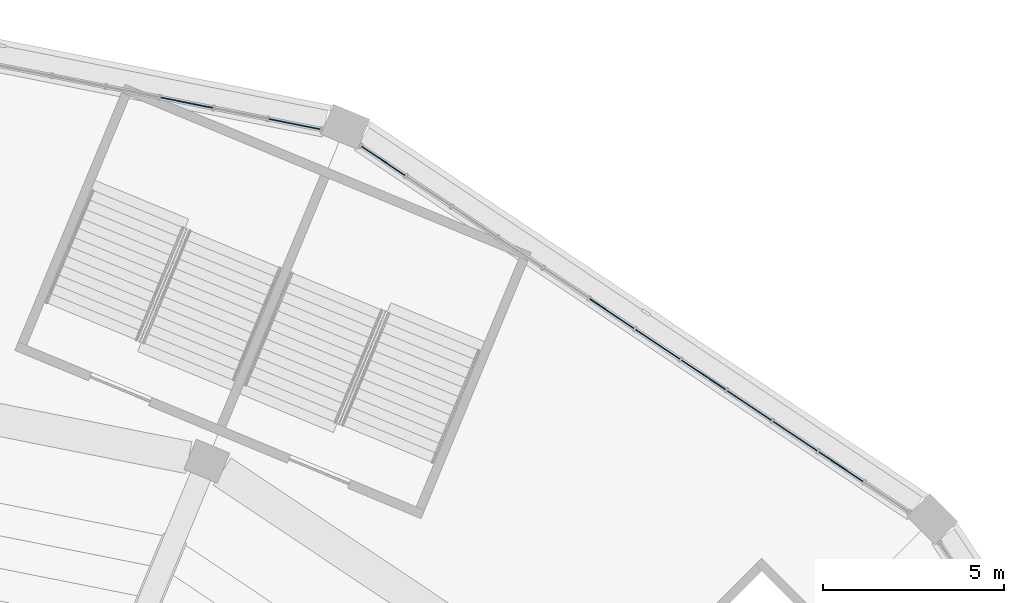
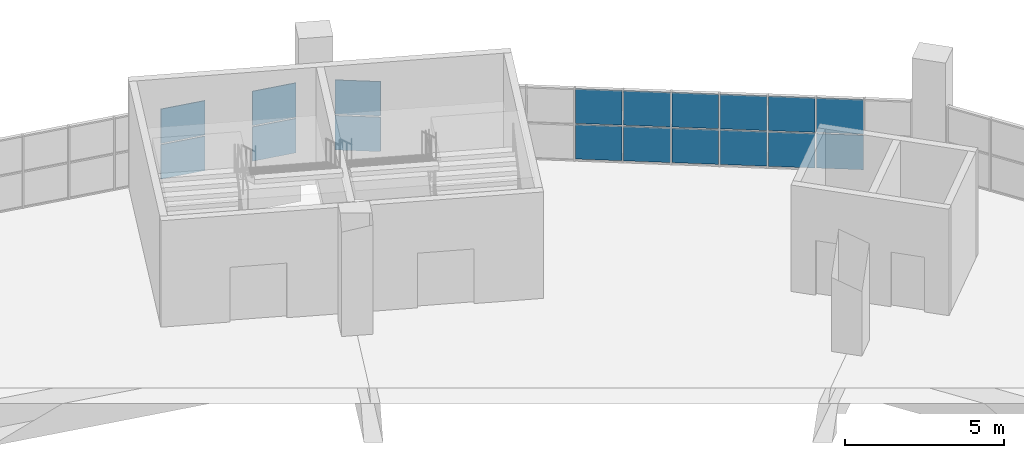
# One storey, part 84 of 249: 18 plates, 2 elements without a shape of their own.
"""IFC4 building model written with IfcOpenShell, lengths in metres."""

from ifc_helpers import new_model, si_unit, direction, frame, origin, origin_2d, place, context, subcontext, project, spatial, rectangle, extrude, material, layer, layer_set, type_object, element, aggregate, save


model = new_model("IFC4")

# Units and contexts
model_context = context("Model", 3, precision=1e-05, world=origin(), true_north=direction((0.0, 1.0)))
body_context = subcontext(model_context, "Body", "Model", "MODEL_VIEW")
ifc_project = project(units=[si_unit("LENGTHUNIT", "METRE"), si_unit("AREAUNIT", "SQUARE_METRE"), si_unit("VOLUMEUNIT", "CUBIC_METRE"), si_unit("PLANEANGLEUNIT", "RADIAN"), si_unit("MASSUNIT", "GRAM", prefix="KILO")], contexts=[model_context])

# Site, building, storey
site_placement = place(None, origin())
site = spatial("IfcSite", under=ifc_project, at=site_placement, CompositionType="ELEMENT")
building_placement = place(site_placement, origin())
building = spatial("IfcBuilding", under=site, at=building_placement, Name="Ogive Plaza Stadium", CompositionType="ELEMENT")
storey_placement = place(building_placement, frame((0.0, 0.0, 13.5)))
storey = spatial("IfcBuildingStorey", under=building, at=storey_placement, Name="L03", CompositionType="ELEMENT", Elevation=13.5)

# Curtain wall, plates
ifc_material_1 = material(Name="Bronze-anodised aluminium with laminated glass", Category="aluminium")
curtain_wall_type = type_object("IfcCurtainWallType", Name="Lancet curtain wall", PredefinedType="NOTDEFINED", material=ifc_material_1)
curtain_wall_1_placement = place(storey_placement, origin())
curtain_wall_1 = element("IfcCurtainWall", 1, at=curtain_wall_1_placement, inside=storey, type_object=curtain_wall_type, Name="CURTAIN WALL B37 L03", PredefinedType="NOTDEFINED")
ifc_material_2 = material(Name="Laminated glass", Category="glass")
ifc_layer = layer(ifc_material_2, 0.028076171875)
ifc_layer_set = layer_set([ifc_layer], Name="Laminated glass panel 28")
plate_type = type_object("IfcPlateType", Name="Laminated glass panel 28", PredefinedType="CURTAIN_PANEL", material=ifc_layer_set)
plate_1_placement = place(storey_placement, frame((48.75390625, 99.361328125, 0.0498046875), z_axis=(0.0, 0.0, 1.0), x_axis=(0.9807852804, -0.195090322033, 0.0)))
plate_1 = element("IfcPlate", 2, at=plate_1_placement, type_object=plate_type, Name="CW-B37-L03 panel 10.1", PredefinedType="CURTAIN_PANEL", context=body_context, shape_type="SweptSolid", body=[
    extrude(rectangle(XDim=1.472412109375, YDim=0.028076171875, at=origin_2d()), origin(), (0.0, 0.0, 1.0), 1.320068359375),
])
plate_2_placement = place(storey_placement, frame((48.75390625, 99.361328125, 1.419921875), z_axis=(0.0, 0.0, 1.0), x_axis=(0.9807852804, -0.195090322033, 0.0)))
plate_2 = element("IfcPlate", 3, at=plate_2_placement, type_object=plate_type, Name="CW-B37-L03 panel 10.2", PredefinedType="CURTAIN_PANEL", context=body_context, shape_type="SweptSolid", body=[
    extrude(rectangle(XDim=1.472412109375, YDim=0.028076171875, at=origin_2d()), origin(), (0.0, 0.0, 1.0), 1.320068359375),
])
plate_3_placement = place(storey_placement, frame((51.727783203125, 98.769775390625, 0.0498046875), z_axis=(0.0, 0.0, 1.0), x_axis=(0.9807852804, -0.195090322033, 0.0)))
plate_3 = element("IfcPlate", 4, at=plate_3_placement, type_object=plate_type, Name="CW-B37-L03 panel 12.1", PredefinedType="CURTAIN_PANEL", context=body_context, shape_type="SweptSolid", body=[
    extrude(rectangle(XDim=1.447265625, YDim=0.028076171875, at=origin_2d()), origin(), (0.0, 0.0, 1.0), 1.320068359375),
])
plate_4_placement = place(storey_placement, frame((51.727783203125, 98.769775390625, 1.419921875), z_axis=(0.0, 0.0, 1.0), x_axis=(0.9807852804, -0.195090322033, 0.0)))
plate_4 = element("IfcPlate", 5, at=plate_4_placement, type_object=plate_type, Name="CW-B37-L03 panel 12.2", PredefinedType="CURTAIN_PANEL", context=body_context, shape_type="SweptSolid", body=[
    extrude(rectangle(XDim=1.447265625, YDim=0.028076171875, at=origin_2d()), origin(), (0.0, 0.0, 1.0), 1.320068359375),
])
aggregate(curtain_wall_1, [plate_1, plate_2, plate_3, plate_4])

curtain_wall_2_placement = place(storey_placement, origin())
curtain_wall_2 = element("IfcCurtainWall", 6, at=curtain_wall_2_placement, inside=storey, type_object=curtain_wall_type, Name="CURTAIN WALL B38 L03", PredefinedType="NOTDEFINED")
plate_5_placement = place(storey_placement, frame((54.18212890625, 97.753173828125, 0.0498046875), z_axis=(0.0, 0.0, 1.0), x_axis=(0.831469612303, -0.55557023302, 0.0)))
plate_5 = element("IfcPlate", 7, at=plate_5_placement, type_object=plate_type, Name="CW-B38-L03 panel 1.1", PredefinedType="CURTAIN_PANEL", context=body_context, shape_type="SweptSolid", body=[
    extrude(rectangle(XDim=1.447265625, YDim=0.028076171875, at=origin_2d()), origin(), (0.0, 0.0, 1.0), 1.320068359375),
])
plate_6_placement = place(storey_placement, frame((54.18212890625, 97.753173828125, 1.419921875), z_axis=(0.0, 0.0, 1.0), x_axis=(0.831469612303, -0.55557023302, 0.0)))
plate_6 = element("IfcPlate", 8, at=plate_6_placement, type_object=plate_type, Name="CW-B38-L03 panel 1.2", PredefinedType="CURTAIN_PANEL", context=body_context, shape_type="SweptSolid", body=[
    extrude(rectangle(XDim=1.447265625, YDim=0.028076171875, at=origin_2d()), origin(), (0.0, 0.0, 1.0), 1.320068359375),
])
plate_7_placement = place(storey_placement, frame((60.500732421875, 93.53125, 0.0498046875), z_axis=(0.0, 0.0, 1.0), x_axis=(0.831469612303, -0.55557023302, 0.0)))
plate_7 = element("IfcPlate", 9, at=plate_7_placement, type_object=plate_type, Name="CW-B38-L03 panel 6.1", PredefinedType="CURTAIN_PANEL", context=body_context, shape_type="SweptSolid", body=[
    extrude(rectangle(XDim=1.472412109375, YDim=0.028076171875, at=origin_2d()), origin(), (0.0, 0.0, 1.0), 1.320068359375),
])
plate_8_placement = place(storey_placement, frame((60.500732421875, 93.53125, 1.419921875), z_axis=(0.0, 0.0, 1.0), x_axis=(0.831469612303, -0.55557023302, 0.0)))
plate_8 = element("IfcPlate", 10, at=plate_8_placement, type_object=plate_type, Name="CW-B38-L03 panel 6.2", PredefinedType="CURTAIN_PANEL", context=body_context, shape_type="SweptSolid", body=[
    extrude(rectangle(XDim=1.472412109375, YDim=0.028076171875, at=origin_2d()), origin(), (0.0, 0.0, 1.0), 1.320068359375),
])
plate_9_placement = place(storey_placement, frame((61.7666015625, 92.685546875, 0.0498046875), z_axis=(0.0, 0.0, 1.0), x_axis=(0.831469612303, -0.55557023302, 0.0)))
plate_9 = element("IfcPlate", 11, at=plate_9_placement, type_object=plate_type, Name="CW-B38-L03 panel 7.1", PredefinedType="CURTAIN_PANEL", context=body_context, shape_type="SweptSolid", body=[
    extrude(rectangle(XDim=1.472412109375, YDim=0.028076171875, at=origin_2d()), origin(), (0.0, 0.0, 1.0), 1.320068359375),
])
plate_10_placement = place(storey_placement, frame((61.7666015625, 92.685546875, 1.419921875), z_axis=(0.0, 0.0, 1.0), x_axis=(0.831469612303, -0.55557023302, 0.0)))
plate_10 = element("IfcPlate", 12, at=plate_10_placement, type_object=plate_type, Name="CW-B38-L03 panel 7.2", PredefinedType="CURTAIN_PANEL", context=body_context, shape_type="SweptSolid", body=[
    extrude(rectangle(XDim=1.472412109375, YDim=0.028076171875, at=origin_2d()), origin(), (0.0, 0.0, 1.0), 1.320068359375),
])
plate_11_placement = place(storey_placement, frame((63.0322265625, 91.839599609375, 0.0498046875), z_axis=(0.0, 0.0, 1.0), x_axis=(0.831469612303, -0.55557023302, 0.0)))
plate_11 = element("IfcPlate", 13, at=plate_11_placement, type_object=plate_type, Name="CW-B38-L03 panel 8.1", PredefinedType="CURTAIN_PANEL", context=body_context, shape_type="SweptSolid", body=[
    extrude(rectangle(XDim=1.472412109375, YDim=0.028076171875, at=origin_2d()), origin(), (0.0, 0.0, 1.0), 1.320068359375),
])
plate_12_placement = place(storey_placement, frame((63.0322265625, 91.839599609375, 1.419921875), z_axis=(0.0, 0.0, 1.0), x_axis=(0.831469612303, -0.55557023302, 0.0)))
plate_12 = element("IfcPlate", 14, at=plate_12_placement, type_object=plate_type, Name="CW-B38-L03 panel 8.2", PredefinedType="CURTAIN_PANEL", context=body_context, shape_type="SweptSolid", body=[
    extrude(rectangle(XDim=1.472412109375, YDim=0.028076171875, at=origin_2d()), origin(), (0.0, 0.0, 1.0), 1.320068359375),
])
plate_13_placement = place(storey_placement, frame((64.298095703125, 90.993896484375, 0.0498046875), z_axis=(0.0, 0.0, 1.0), x_axis=(0.831469612303, -0.55557023302, 0.0)))
plate_13 = element("IfcPlate", 15, at=plate_13_placement, type_object=plate_type, Name="CW-B38-L03 panel 9.1", PredefinedType="CURTAIN_PANEL", context=body_context, shape_type="SweptSolid", body=[
    extrude(rectangle(XDim=1.472412109375, YDim=0.028076171875, at=origin_2d()), origin(), (0.0, 0.0, 1.0), 1.320068359375),
])
plate_14_placement = place(storey_placement, frame((64.298095703125, 90.993896484375, 1.419921875), z_axis=(0.0, 0.0, 1.0), x_axis=(0.831469612303, -0.55557023302, 0.0)))
plate_14 = element("IfcPlate", 16, at=plate_14_placement, type_object=plate_type, Name="CW-B38-L03 panel 9.2", PredefinedType="CURTAIN_PANEL", context=body_context, shape_type="SweptSolid", body=[
    extrude(rectangle(XDim=1.472412109375, YDim=0.028076171875, at=origin_2d()), origin(), (0.0, 0.0, 1.0), 1.320068359375),
])
plate_15_placement = place(storey_placement, frame((65.56396484375, 90.148193359375, 0.0498046875), z_axis=(0.0, 0.0, 1.0), x_axis=(0.831469612303, -0.55557023302, 0.0)))
plate_15 = element("IfcPlate", 17, at=plate_15_placement, type_object=plate_type, Name="CW-B38-L03 panel 10.1", PredefinedType="CURTAIN_PANEL", context=body_context, shape_type="SweptSolid", body=[
    extrude(rectangle(XDim=1.472412109375, YDim=0.028076171875, at=origin_2d()), origin(), (0.0, 0.0, 1.0), 1.320068359375),
])
plate_16_placement = place(storey_placement, frame((65.56396484375, 90.148193359375, 1.419921875), z_axis=(0.0, 0.0, 1.0), x_axis=(0.831469612303, -0.55557023302, 0.0)))
plate_16 = element("IfcPlate", 18, at=plate_16_placement, type_object=plate_type, Name="CW-B38-L03 panel 10.2", PredefinedType="CURTAIN_PANEL", context=body_context, shape_type="SweptSolid", body=[
    extrude(rectangle(XDim=1.472412109375, YDim=0.028076171875, at=origin_2d()), origin(), (0.0, 0.0, 1.0), 1.320068359375),
])
plate_17_placement = place(storey_placement, frame((66.82958984375, 89.302490234375, 0.0498046875), z_axis=(0.0, 0.0, 1.0), x_axis=(0.831469612303, -0.55557023302, 0.0)))
plate_17 = element("IfcPlate", 19, at=plate_17_placement, type_object=plate_type, Name="CW-B38-L03 panel 11.1", PredefinedType="CURTAIN_PANEL", context=body_context, shape_type="SweptSolid", body=[
    extrude(rectangle(XDim=1.472412109375, YDim=0.028076171875, at=origin_2d()), origin(), (0.0, 0.0, 1.0), 1.320068359375),
])
plate_18_placement = place(storey_placement, frame((66.82958984375, 89.302490234375, 1.419921875), z_axis=(0.0, 0.0, 1.0), x_axis=(0.831469612303, -0.55557023302, 0.0)))
plate_18 = element("IfcPlate", 20, at=plate_18_placement, type_object=plate_type, Name="CW-B38-L03 panel 11.2", PredefinedType="CURTAIN_PANEL", context=body_context, shape_type="SweptSolid", body=[
    extrude(rectangle(XDim=1.472412109375, YDim=0.028076171875, at=origin_2d()), origin(), (0.0, 0.0, 1.0), 1.320068359375),
])
aggregate(curtain_wall_2, [plate_5, plate_6, plate_7, plate_8, plate_9, plate_10, plate_11, plate_12, plate_13, plate_14, plate_15, plate_16, plate_17, plate_18])

save(model, "model.ifc")
